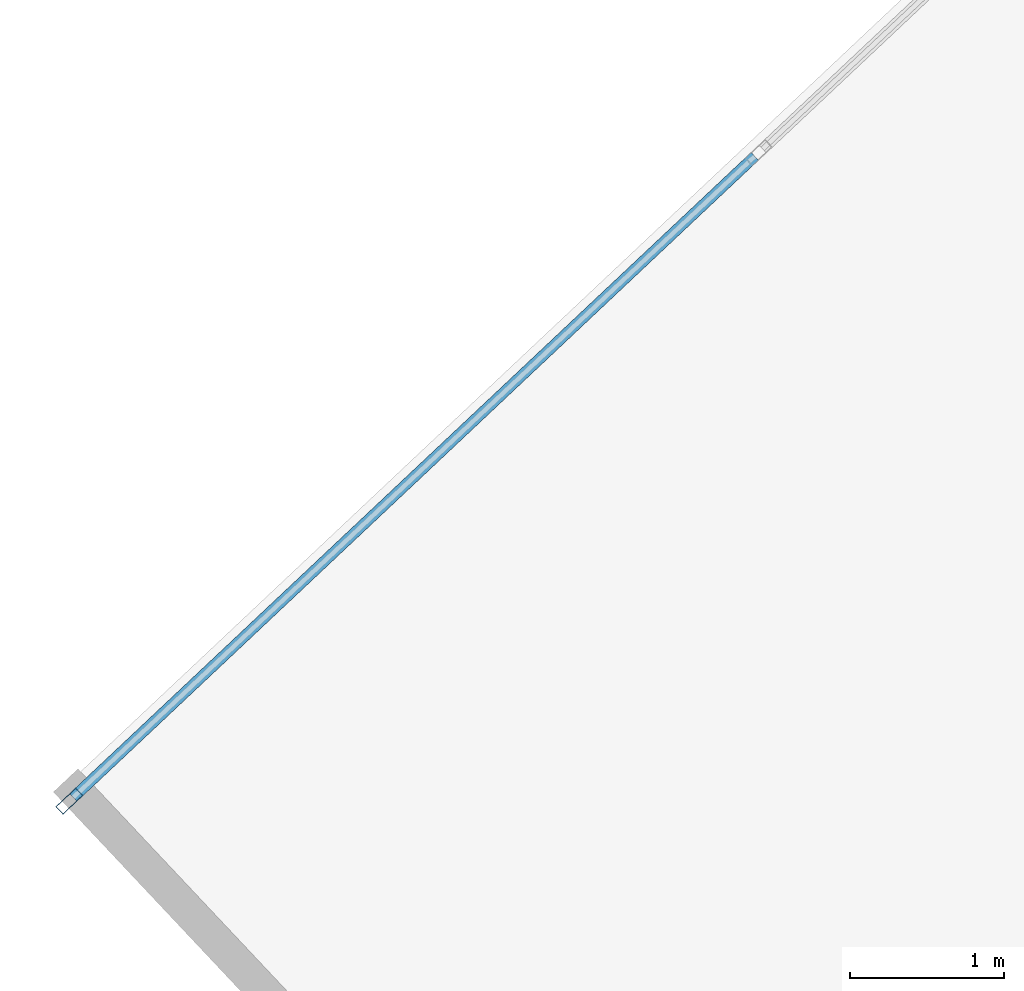
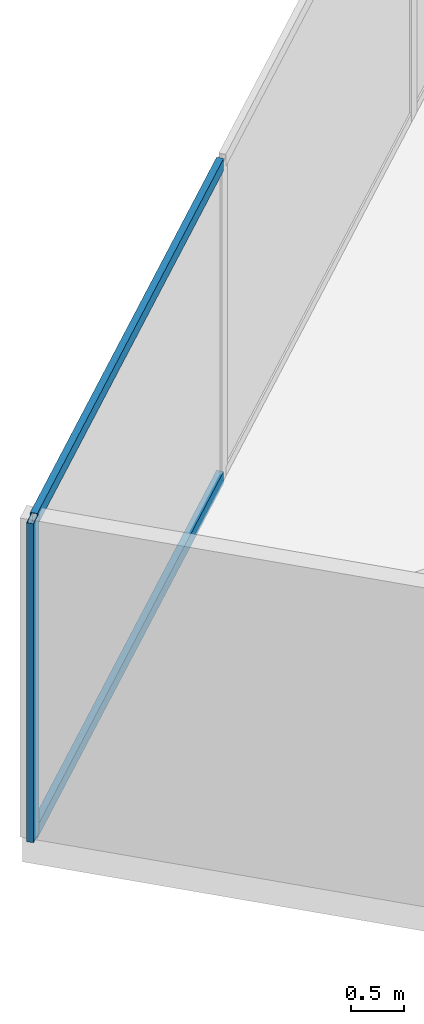
# One storey, part 7 of 24: 3 members, 1 element without a shape of its own.
"""IFC4 building model written with IfcOpenShell, lengths in metres."""

from ifc_helpers import new_model, si_unit, direction, frame, origin, origin_2d, place, context, subcontext, project, spatial, hollow_rectangle, extrude, source, transform, mapped, material, material_profile, profile_set, type_object, type_shapes, element, aggregate, save


model = new_model("IFC4")

# Units and contexts
model_context = context("Model", 3, precision=1e-05, world=origin(), true_north=direction((0.0, 1.0)))
body_context = subcontext(model_context, "Body", "Model", "MODEL_VIEW")
ifc_project = project(units=[si_unit("LENGTHUNIT", "METRE"), si_unit("AREAUNIT", "SQUARE_METRE"), si_unit("VOLUMEUNIT", "CUBIC_METRE"), si_unit("PLANEANGLEUNIT", "RADIAN"), si_unit("MASSUNIT", "GRAM", prefix="KILO")], contexts=[model_context])

# Site, building, storey
site_placement = place(None, origin())
site = spatial("IfcSite", under=ifc_project, at=site_placement, CompositionType="ELEMENT")
building_placement = place(site_placement, origin())
building = spatial("IfcBuilding", under=site, at=building_placement, Name="Krantzveldt Concourse Tower", CompositionType="ELEMENT")
storey_placement = place(building_placement, frame((0.0, 0.0, 242.85009765625)))
storey = spatial("IfcBuildingStorey", under=building, at=storey_placement, Name="L59", CompositionType="ELEMENT", Elevation=242.85009765625)

# Curtain wall, members
ifc_material = material(Name="Anodised aluminium 6063-T6", Category="aluminium")
curtain_wall_type = type_object("IfcCurtainWallType", Name="CW3", PredefinedType="USERDEFINED", material=ifc_material)
curtain_wall_placement = place(storey_placement, origin())
curtain_wall = element("IfcCurtainWall", 1, at=curtain_wall_placement, inside=storey, type_object=curtain_wall_type, Name="CW-L59-F01", ObjectType="UNITISED CURTAIN WALL", PredefinedType="USERDEFINED")
ifc_material_profile_1 = material_profile(ifc_material, hollow_rectangle(XDim=0.070068359375, YDim=0.179931640625, WallThickness=0.0048828125, at=origin_2d()), Name="Anodised aluminium 6063-T6", Category="aluminium")
ifc_profile_set_1 = profile_set([ifc_material_profile_1], Name="Anodised aluminium 6063-T6 - ALU-MULL 180x70x5")
member_type_1 = type_object("IfcMemberType", Name="CW-MUL-180", PredefinedType="MULLION", material=ifc_profile_set_1)
shared_shape_1 = source(origin(), body_context, "Body", "SweptSolid", [
    extrude(hollow_rectangle(XDim=0.070068359375, YDim=0.179931640625, WallThickness=0.0048828125, at=origin_2d()), origin(), (0.0, 0.0, 1.0), 3.669921875),
])
type_shapes(member_type_1, [shared_shape_1])
member_1_placement = place(storey_placement, frame((10.751220703125, 30.9697265625, 0.0), z_axis=(0.0, 0.0, 1.0), x_axis=(0.685182945184, -0.728371012348, 0.0)))
member_1 = element("IfcMember", 2, at=member_1_placement, type_object=member_type_1, Name="CW-Z34 mullion 6", PredefinedType="MULLION", context=body_context, shape_type="MappedRepresentation", body=[
    mapped(shared_shape_1, transform((0.0, 0.0, 0.0), x_axis=(1.0, 0.0, 0.0), y_axis=(0.0, 1.0, 0.0), z_axis=(0.0, 0.0, 1.0), scale=1.0)),
])
ifc_material_profile_2 = material_profile(ifc_material, hollow_rectangle(XDim=0.070068359375, YDim=0.139892578125, WallThickness=0.0048828125, at=origin_2d()), Name="Anodised aluminium 6063-T6", Category="aluminium")
ifc_profile_set_2 = profile_set([ifc_material_profile_2], Name="Anodised aluminium 6063-T6 - ALU-TRAN 140x70x5")
member_type_2 = type_object("IfcMemberType", Name="CW-TRN-150", PredefinedType="USERDEFINED", material=ifc_profile_set_2)
shared_shape_2 = source(origin(), body_context, "Body", "SweptSolid", [
    extrude(hollow_rectangle(XDim=0.070068359375, YDim=0.139892578125, WallThickness=0.0048828125, at=origin_2d()), origin(), (0.0, 0.0, 1.0), 6.094970703125),
])
type_shapes(member_type_2, [shared_shape_2])
member_2_placement = place(storey_placement, frame((15.216064453125, 35.169921875, 0.034912109375), z_axis=(-0.728366954224, -0.685187259072, 0.0), x_axis=(0.685187259072, -0.728366954224, 0.0)))
member_2 = element("IfcMember", 3, at=member_2_placement, type_object=member_type_2, Name="CW-Z34 transom 5.1", ObjectType="TRANSOM", PredefinedType="USERDEFINED", context=body_context, shape_type="MappedRepresentation", body=[
    mapped(shared_shape_2, transform((0.0, 0.0, 0.0), x_axis=(1.0, 0.0, 0.0), y_axis=(0.0, 1.0, 0.0), z_axis=(0.0, 0.0, 1.0), scale=1.0)),
])
member_3_placement = place(storey_placement, frame((15.216064453125, 35.169921875, 3.635009765625), z_axis=(-0.728366954224, -0.685187259072, 0.0), x_axis=(0.685187259072, -0.728366954224, 0.0)))
member_3 = element("IfcMember", 4, at=member_3_placement, type_object=member_type_2, Name="CW-Z34 transom 5.2", ObjectType="TRANSOM", PredefinedType="USERDEFINED", context=body_context, shape_type="MappedRepresentation", body=[
    mapped(shared_shape_2, transform((0.0, 0.0, 0.0), x_axis=(1.0, 0.0, 0.0), y_axis=(0.0, 1.0, 0.0), z_axis=(0.0, 0.0, 1.0), scale=1.0)),
])
aggregate(curtain_wall, [member_1, member_2, member_3])

save(model, "model.ifc")
